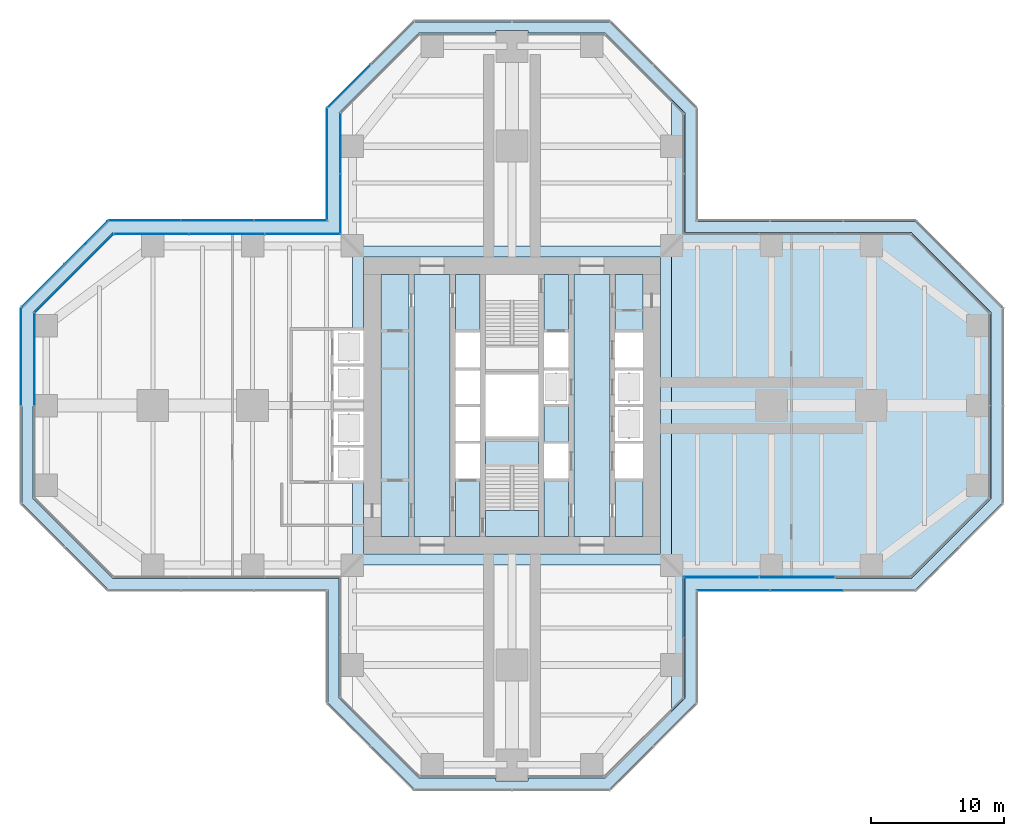
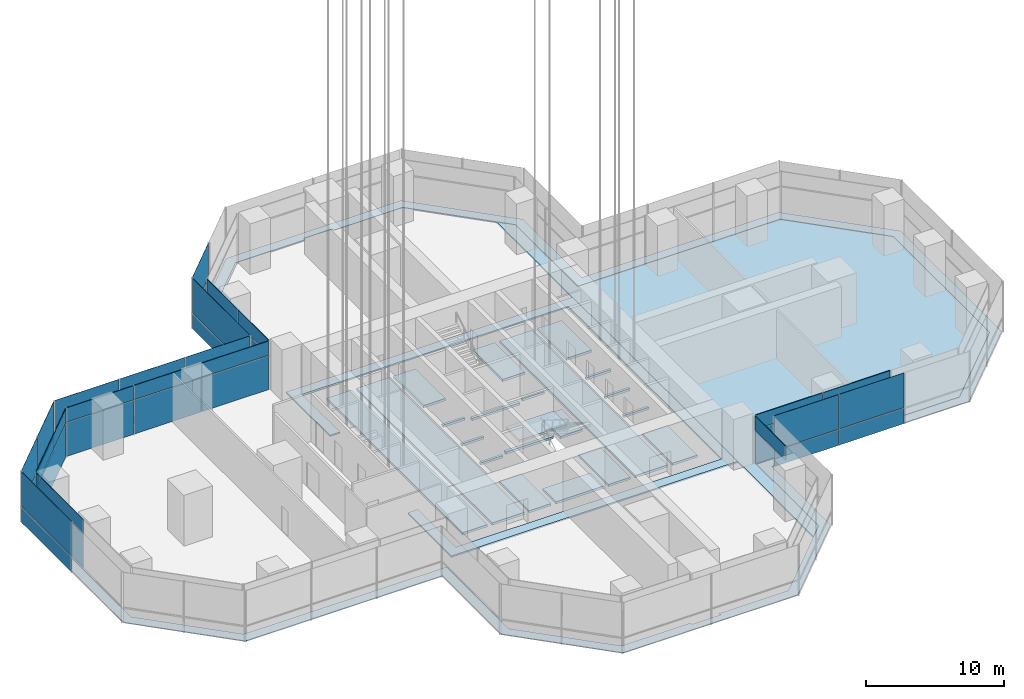
# One storey, part 12 of 34: 40 plates, 5 slabs, 13 elements without a shape of their own.
"""IFC4 building model written with IfcOpenShell, lengths in metres."""

from ifc_helpers import new_model, si_unit, direction, frame, origin, origin_2d, place, context, subcontext, project, spatial, polyline, rectangle, outline, extrude, material, layer, layer_set, type_object, element, aggregate, save


model = new_model("IFC4")

# Units and contexts
model_context = context("Model", 3, precision=1e-05, world=origin(), true_north=direction((0.0, 1.0)))
body_context = subcontext(model_context, "Body", "Model", "MODEL_VIEW")
ifc_project = project(units=[si_unit("LENGTHUNIT", "METRE"), si_unit("AREAUNIT", "SQUARE_METRE"), si_unit("VOLUMEUNIT", "CUBIC_METRE"), si_unit("PLANEANGLEUNIT", "RADIAN"), si_unit("MASSUNIT", "GRAM", prefix="KILO")], contexts=[model_context])

# Site, building, storey
site_placement = place(None, origin())
site = spatial("IfcSite", under=ifc_project, at=site_placement, CompositionType="ELEMENT")
building_placement = place(site_placement, origin())
building = spatial("IfcBuilding", under=site, at=building_placement, Name="Mizan Broadcast Tower", CompositionType="ELEMENT")
storey_placement = place(building_placement, frame((0.0, 0.0, 194.39990234375)))
storey = spatial("IfcBuildingStorey", under=building, at=storey_placement, Name="L45", CompositionType="ELEMENT", Elevation=194.39990234375)

# Plate
ifc_material_1 = material(Name="Aluminium grating", Category="aluminium")
ifc_layer_1 = layer(ifc_material_1, 0.050048828125)
ifc_layer_set_1 = layer_set([ifc_layer_1], Name="Aluminium grating")
plate_type_1 = type_object("IfcPlateType", Name="CAVITY GRATING", PredefinedType="USERDEFINED", material=ifc_layer_set_1)
plate_1_placement = place(storey_placement, frame((0.0, 0.0, -0.0498046875)))
element("IfcPlate", 1, at=plate_1_placement, inside=storey, type_object=plate_type_1, Name="Cavity grating L45", ObjectType="GRATING", PredefinedType="USERDEFINED", context=body_context, shape_type="SweptSolid", body=[
    extrude(outline(polyline([(7.339599609375, -28.820068359375), (13.820068359375, -22.339599609375), (13.820068359375, -13.820068359375), (30.339599609375, -13.820068359375), (36.820068359375, -7.339599609375), (36.820068359375, 7.339599609375), (30.339599609375, 13.820068359375), (13.820068359375, 13.820068359375), (13.820068359375, 22.339599609375), (7.339599609375, 28.820068359375), (-7.339599609375, 28.820068359375), (-13.820068359375, 22.339599609375), (-13.820068359375, 13.820068359375), (-30.339599609375, 13.820068359375), (-36.820068359375, 7.339599609375), (-36.820068359375, -7.339599609375), (-30.339599609375, -13.820068359375), (-13.820068359375, -13.820068359375), (-13.820068359375, -22.339599609375), (-7.339599609375, -28.820068359375), (7.339599609375, -28.820068359375)]), holes=[polyline([(36.0, -7.0), (30.0, -13.0), (13.0, -13.0), (13.0, -22.0), (7.0, -28.0), (1.199951171875, -28.0), (1.199951171875, -28.199951171875), (-1.199951171875, -28.199951171875), (-1.199951171875, -28.0), (-7.0, -28.0), (-13.0, -22.0), (-13.0, -13.0), (-30.0, -13.0), (-36.0, -7.0), (-36.0, 7.0), (-30.0, 13.0), (-13.0, 13.0), (-13.0, 22.0), (-7.0, 28.0), (-1.199951171875, 28.0), (-1.199951171875, 28.199951171875), (1.199951171875, 28.199951171875), (1.199951171875, 28.0), (7.0, 28.0), (13.0, 22.0), (13.0, 13.0), (30.0, 13.0), (36.0, 7.0), (36.0, -7.0)])]), origin(), (0.0, 0.0, 1.0), 0.0498046875),
])

# Slabs
ifc_material_2 = material(Name="Concrete C32/40", Category="concrete")
ifc_layer_2 = layer(ifc_material_2, 0.1298828125)
ifc_layer_set_2 = layer_set([ifc_layer_2], Name="Concrete C32/40")
slab_type_1 = type_object("IfcSlabType", Name="COMPOSITE DECK SLAB 130", PredefinedType="FLOOR", material=ifc_layer_set_2)
slab_1_placement = place(storey_placement, frame((0.0, 0.0, -0.1298828125)))
element("IfcSlab", 2, at=slab_1_placement, inside=storey, type_object=slab_type_1, Name="Floor slab L45 centre", PredefinedType="FLOOR", context=body_context, shape_type="SweptSolid", body=[
    extrude(outline(polyline([(-11.14990234375, -5.64990234375), (-12.0, -5.64990234375), (-12.0, -12.0), (12.0, -12.0), (12.0, 12.0), (-12.0, 12.0), (-12.0, 5.64990234375), (-11.14990234375, 5.64990234375), (-11.14990234375, 11.14990234375), (11.14990234375, 11.14990234375), (11.14990234375, -11.14990234375), (-11.14990234375, -11.14990234375), (-11.14990234375, -5.64990234375)])), origin(), (0.0, 0.0, 1.0), 0.1298828125),
])
slab_2_placement = place(storey_placement, frame((0.0, 0.0, -0.1298828125)))
element("IfcSlab", 3, at=slab_2_placement, inside=storey, type_object=slab_type_1, Name="Floor slab L45 east arm", PredefinedType="FLOOR", context=body_context, shape_type="SweptSolid", body=[
    extrude(outline(polyline([(13.0, 22.0), (12.0, 23.0), (12.0, -23.0), (13.0, -22.0), (13.0, -13.0), (30.0, -13.0), (36.0, -7.0), (36.0, 7.0), (30.0, 13.0), (13.0, 13.0), (13.0, 22.0)])), origin(), (0.0, 0.0, 1.0), 0.1298828125),
])
ifc_material_3 = material(Name="Concrete C40/50", Category="concrete")
ifc_layer_3 = layer(ifc_material_3, 0.199951171875)
ifc_layer_set_3 = layer_set([ifc_layer_3], Name="Concrete C40/50")
slab_type_2 = type_object("IfcSlabType", Name="CORE FLOOR 200", PredefinedType="FLOOR", material=ifc_layer_set_3)
slab_3_placement = place(storey_placement, frame((0.0, 0.0, -0.199951171875)))
element("IfcSlab", 4, at=slab_3_placement, inside=storey, type_object=slab_type_2, Name="Core floor L45", PredefinedType="FLOOR", context=body_context, shape_type="SweptSolid", body=[
    extrude(outline(polyline([(-9.85009765625, -9.85009765625), (-7.75, -9.85009765625), (-7.75, 9.85009765625), (-9.85009765625, 9.85009765625), (-9.85009765625, -9.85009765625)])), origin(), (0.0, 0.0, 1.0), 0.199951171875),
    extrude(outline(polyline([(-4.64990234375, 9.85009765625), (-7.35009765625, 9.85009765625), (-7.35009765625, -9.85009765625), (-4.64990234375, -9.85009765625), (-4.64990234375, 9.85009765625)])), origin(), (0.0, 0.0, 1.0), 0.199951171875),
    extrude(outline(polyline([(-4.25, -5.5), (-4.25, -9.85009765625), (-2.39990234375, -9.85009765625), (-2.39990234375, -5.5), (-4.25, -5.5)])), origin(), (0.0, 0.0, 1.0), 0.199951171875),
    extrude(outline(polyline([(-4.25, -2.85009765625), (-2.39990234375, -2.85009765625), (-2.39990234375, -2.64990234375), (-4.25, -2.64990234375), (-4.25, -2.85009765625)])), origin(), (0.0, 0.0, 1.0), 0.199951171875),
    extrude(outline(polyline([(-4.25, -0.10009765625), (-2.39990234375, -0.10009765625), (-2.39990234375, 0.10009765625), (-4.25, 0.10009765625), (-4.25, -0.10009765625)])), origin(), (0.0, 0.0, 1.0), 0.199951171875),
    extrude(outline(polyline([(-4.25, 2.64990234375), (-2.39990234375, 2.64990234375), (-2.39990234375, 2.85009765625), (-4.25, 2.85009765625), (-4.25, 2.64990234375)])), origin(), (0.0, 0.0, 1.0), 0.199951171875),
    extrude(outline(polyline([(-4.25, 5.5), (-2.39990234375, 5.5), (-2.39990234375, 9.85009765625), (-4.25, 9.85009765625), (-4.25, 5.5)])), origin(), (0.0, 0.0, 1.0), 0.199951171875),
    extrude(outline(polyline([(2.0, -2.324951171875), (-2.0, -2.324951171875), (-2.0, -2.574951171875), (2.0, -2.574951171875), (2.0, -2.324951171875)])), origin(), (0.0, 0.0, 1.0), 0.199951171875),
    extrude(outline(polyline([(2.0, 2.574951171875), (-2.0, 2.574951171875), (-2.0, 2.324951171875), (2.0, 2.324951171875), (2.0, 2.574951171875)])), origin(), (0.0, 0.0, 1.0), 0.199951171875),
    extrude(outline(polyline([(4.25, -9.85009765625), (4.25, -5.5), (2.39990234375, -5.5), (2.39990234375, -9.85009765625), (4.25, -9.85009765625)])), origin(), (0.0, 0.0, 1.0), 0.199951171875),
    extrude(outline(polyline([(4.25, -2.85009765625), (4.25, 0.10009765625), (2.39990234375, 0.10009765625), (2.39990234375, -2.85009765625), (4.25, -2.85009765625)])), origin(), (0.0, 0.0, 1.0), 0.199951171875),
    extrude(outline(polyline([(4.25, 2.64990234375), (4.25, 2.85009765625), (2.39990234375, 2.85009765625), (2.39990234375, 2.64990234375), (4.25, 2.64990234375)])), origin(), (0.0, 0.0, 1.0), 0.199951171875),
    extrude(outline(polyline([(4.25, 5.5), (4.25, 9.85009765625), (2.39990234375, 9.85009765625), (2.39990234375, 5.5), (4.25, 5.5)])), origin(), (0.0, 0.0, 1.0), 0.199951171875),
    extrude(outline(polyline([(4.64990234375, 9.85009765625), (4.64990234375, -9.85009765625), (7.35009765625, -9.85009765625), (7.35009765625, 9.85009765625), (4.64990234375, 9.85009765625)])), origin(), (0.0, 0.0, 1.0), 0.199951171875),
    extrude(outline(polyline([(9.85009765625, -9.85009765625), (9.85009765625, -5.5), (7.75, -5.5), (7.75, -9.85009765625), (9.85009765625, -9.85009765625)])), origin(), (0.0, 0.0, 1.0), 0.199951171875),
    extrude(outline(polyline([(9.85009765625, -2.85009765625), (9.85009765625, -2.64990234375), (7.75, -2.64990234375), (7.75, -2.85009765625), (9.85009765625, -2.85009765625)])), origin(), (0.0, 0.0, 1.0), 0.199951171875),
    extrude(outline(polyline([(9.85009765625, -0.10009765625), (9.85009765625, 0.10009765625), (7.75, 0.10009765625), (7.75, -0.10009765625), (9.85009765625, -0.10009765625)])), origin(), (0.0, 0.0, 1.0), 0.199951171875),
    extrude(outline(polyline([(9.85009765625, 2.64990234375), (9.85009765625, 2.85009765625), (7.75, 2.85009765625), (7.75, 2.64990234375), (9.85009765625, 2.64990234375)])), origin(), (0.0, 0.0, 1.0), 0.199951171875),
    extrude(outline(polyline([(9.85009765625, 5.5), (9.85009765625, 9.85009765625), (7.75, 9.85009765625), (7.75, 5.5), (9.85009765625, 5.5)])), origin(), (0.0, 0.0, 1.0), 0.199951171875),
])

# Curtain wall, plates
ifc_material_4 = material(Name="Aluminium framed glazing", Category="aluminium")
curtain_wall_type_1 = type_object("IfcCurtainWallType", Name="INNER SKIN HIGH ZONE", PredefinedType="USERDEFINED", material=ifc_material_4)
curtain_wall_1_placement = place(storey_placement, origin())
curtain_wall_1 = element("IfcCurtainWall", 5, at=curtain_wall_1_placement, inside=storey, type_object=curtain_wall_type_1, Name="Inner skin high zone L45 E side", ObjectType="INNER SKIN HIGH ZONE", PredefinedType="USERDEFINED")
ifc_material_5 = material(Name="Double glazing, clear low-e", Category="glass")
ifc_layer_4 = layer(ifc_material_5, 0.028076171875)
ifc_layer_set_4 = layer_set([ifc_layer_4], Name="Double glazing, clear low-e")
plate_type_2 = type_object("IfcPlateType", Name="INNER SKIN GLAZING UNIT", PredefinedType="CURTAIN_PANEL", material=ifc_layer_set_4)
plate_2_placement = place(storey_placement, frame((15.758056640625, -12.89990234375, 0.0), z_axis=(0.0, 0.0, 1.0), x_axis=(1.0, 0.0, 0.0)))
plate_2 = element("IfcPlate", 6, at=plate_2_placement, type_object=plate_type_2, Name="Inner skin high zone L45 E side panel 1.1", PredefinedType="CURTAIN_PANEL", context=body_context, shape_type="SweptSolid", body=[
    extrude(rectangle(XDim=5.59619140625, YDim=0.028076171875, at=origin_2d()), origin(), (0.0, 0.0, 1.0), 3.0),
])
plate_3_placement = place(storey_placement, frame((21.42919921875, -12.89990234375, 0.0), z_axis=(0.0, 0.0, 1.0), x_axis=(1.0, 0.0, 0.0)))
plate_3 = element("IfcPlate", 7, at=plate_3_placement, type_object=plate_type_2, Name="Inner skin high zone L45 E side panel 2.1", PredefinedType="CURTAIN_PANEL", context=body_context, shape_type="SweptSolid", body=[
    extrude(rectangle(XDim=5.626220703125, YDim=0.028076171875, at=origin_2d()), origin(), (0.0, 0.0, 1.0), 3.0),
])

curtain_wall_2_placement = place(storey_placement, origin())
curtain_wall_2 = element("IfcCurtainWall", 8, at=curtain_wall_2_placement, inside=storey, type_object=curtain_wall_type_1, Name="Inner skin high zone L45 N side", ObjectType="INNER SKIN HIGH ZONE", PredefinedType="USERDEFINED")
plate_4_placement = place(storey_placement, frame((-12.89990234375, 19.678955078125, 0.0), z_axis=(0.0, 0.0, 1.0), x_axis=(0.0, -1.0, 0.0)))
plate_4 = element("IfcPlate", 9, at=plate_4_placement, type_object=plate_type_2, Name="Inner skin high zone L45 N side panel 1.1", PredefinedType="CURTAIN_PANEL", context=body_context, shape_type="SweptSolid", body=[
    extrude(rectangle(XDim=4.439208984375, YDim=0.028076171875, at=origin_2d()), origin(), (0.0, 0.0, 1.0), 3.0),
])
plate_5_placement = place(storey_placement, frame((-12.89990234375, 15.1796875, 0.0), z_axis=(0.0, 0.0, 1.0), x_axis=(0.0, -1.0, 0.0)))
plate_5 = element("IfcPlate", 10, at=plate_5_placement, type_object=plate_type_2, Name="Inner skin high zone L45 N side panel 2.1", PredefinedType="CURTAIN_PANEL", context=body_context, shape_type="SweptSolid", body=[
    extrude(rectangle(XDim=4.439208984375, YDim=0.028076171875, at=origin_2d()), origin(), (0.0, 0.0, 1.0), 3.0),
])

curtain_wall_3_placement = place(storey_placement, origin())
curtain_wall_3 = element("IfcCurtainWall", 11, at=curtain_wall_3_placement, inside=storey, type_object=curtain_wall_type_1, Name="Inner skin high zone L45 W side", ObjectType="INNER SKIN HIGH ZONE", PredefinedType="USERDEFINED")
plate_6_placement = place(storey_placement, frame((-15.758056640625, 12.89990234375, 0.0), z_axis=(0.0, 0.0, 1.0), x_axis=(-1.0, 0.0, 0.0)))
plate_6 = element("IfcPlate", 12, at=plate_6_placement, type_object=plate_type_2, Name="Inner skin high zone L45 W side panel 1.1", PredefinedType="CURTAIN_PANEL", context=body_context, shape_type="SweptSolid", body=[
    extrude(rectangle(XDim=5.59619140625, YDim=0.028076171875, at=origin_2d()), origin(), (0.0, 0.0, 1.0), 3.0),
])
plate_7_placement = place(storey_placement, frame((-21.42919921875, 12.89990234375, 0.0), z_axis=(0.0, 0.0, 1.0), x_axis=(-1.0, 0.0, 0.0)))
plate_7 = element("IfcPlate", 13, at=plate_7_placement, type_object=plate_type_2, Name="Inner skin high zone L45 W side panel 2.1", PredefinedType="CURTAIN_PANEL", context=body_context, shape_type="SweptSolid", body=[
    extrude(rectangle(XDim=5.626220703125, YDim=0.028076171875, at=origin_2d()), origin(), (0.0, 0.0, 1.0), 3.0),
])
plate_8_placement = place(storey_placement, frame((-27.1005859375, 12.89990234375, 0.0), z_axis=(0.0, 0.0, 1.0), x_axis=(-1.0, 0.0, 0.0)))
plate_8 = element("IfcPlate", 14, at=plate_8_placement, type_object=plate_type_2, Name="Inner skin high zone L45 W side panel 3.1", PredefinedType="CURTAIN_PANEL", context=body_context, shape_type="SweptSolid", body=[
    extrude(rectangle(XDim=5.59619140625, YDim=0.028076171875, at=origin_2d()), origin(), (0.0, 0.0, 1.0), 3.0),
])

# Curtain wall, plate
curtain_wall_4_placement = place(storey_placement, origin())
curtain_wall_4 = element("IfcCurtainWall", 15, at=curtain_wall_4_placement, inside=storey, type_object=curtain_wall_type_1, Name="Inner skin high zone L45 W chamfer", ObjectType="INNER SKIN HIGH ZONE", PredefinedType="USERDEFINED")
plate_9_placement = place(storey_placement, frame((-32.92919921875, 9.92919921875, 0.0), z_axis=(0.0, 0.0, 1.0), x_axis=(-0.707106781187, -0.707106781187, 0.0)))
plate_9 = element("IfcPlate", 16, at=plate_9_placement, type_object=plate_type_2, Name="Inner skin high zone L45 W chamfer panel 1.1", PredefinedType="CURTAIN_PANEL", context=body_context, shape_type="SweptSolid", body=[
    extrude(rectangle(XDim=8.282470703125, YDim=0.028076171875, at=origin_2d()), origin(), (0.0, 0.0, 1.0), 3.0),
])

curtain_wall_5_placement = place(storey_placement, origin())
curtain_wall_5 = element("IfcCurtainWall", 17, at=curtain_wall_5_placement, inside=storey, type_object=curtain_wall_type_1, Name="Inner skin high zone L45 W end", ObjectType="INNER SKIN HIGH ZONE", PredefinedType="USERDEFINED")
plate_10_placement = place(storey_placement, frame((-35.89990234375, 3.46435546875, 0.0), z_axis=(0.0, 0.0, 1.0), x_axis=(0.0, -1.0, 0.0)))
plate_10 = element("IfcPlate", 18, at=plate_10_placement, type_object=plate_type_2, Name="Inner skin high zone L45 W end panel 1.1", PredefinedType="CURTAIN_PANEL", context=body_context, shape_type="SweptSolid", body=[
    extrude(rectangle(XDim=6.86865234375, YDim=0.028076171875, at=origin_2d()), origin(), (0.0, 0.0, 1.0), 3.0),
])

# Plate
ifc_material_6 = material(Name="Insulated aluminium spandrel panel, pale anodised", Category="aluminium")
ifc_layer_5 = layer(ifc_material_6, 0.050048828125)
ifc_layer_set_5 = layer_set([ifc_layer_5], Name="Insulated aluminium spandrel panel, pale anodised")
plate_type_3 = type_object("IfcPlateType", Name="INNER SKIN SPANDREL PANEL", PredefinedType="CURTAIN_PANEL", material=ifc_layer_set_5)
plate_11_placement = place(storey_placement, frame((15.758056640625, -12.89990234375, 3.06005859375), z_axis=(0.0, 0.0, 1.0), x_axis=(1.0, 0.0, 0.0)))
plate_11 = element("IfcPlate", 19, at=plate_11_placement, type_object=plate_type_3, Name="Inner skin high zone L45 E side panel 1.2", PredefinedType="CURTAIN_PANEL", context=body_context, shape_type="SweptSolid", body=[
    extrude(rectangle(XDim=5.59619140625, YDim=0.050048828125, at=origin_2d()), origin(), (0.0, 0.0, 1.0), 1.260009765625),
])

plate_12_placement = place(storey_placement, frame((21.42919921875, -12.89990234375, 3.06005859375), z_axis=(0.0, 0.0, 1.0), x_axis=(1.0, 0.0, 0.0)))
plate_12 = element("IfcPlate", 20, at=plate_12_placement, type_object=plate_type_3, Name="Inner skin high zone L45 E side panel 2.2", PredefinedType="CURTAIN_PANEL", context=body_context, shape_type="SweptSolid", body=[
    extrude(rectangle(XDim=5.626220703125, YDim=0.050048828125, at=origin_2d()), origin(), (0.0, 0.0, 1.0), 1.260009765625),
])

aggregate(curtain_wall_1, [plate_2, plate_11, plate_3, plate_12])

plate_13_placement = place(storey_placement, frame((-12.89990234375, 19.678955078125, 3.06005859375), z_axis=(0.0, 0.0, 1.0), x_axis=(0.0, -1.0, 0.0)))
plate_13 = element("IfcPlate", 21, at=plate_13_placement, type_object=plate_type_3, Name="Inner skin high zone L45 N side panel 1.2", PredefinedType="CURTAIN_PANEL", context=body_context, shape_type="SweptSolid", body=[
    extrude(rectangle(XDim=4.439208984375, YDim=0.050048828125, at=origin_2d()), origin(), (0.0, 0.0, 1.0), 1.260009765625),
])

plate_14_placement = place(storey_placement, frame((-12.89990234375, 15.1796875, 3.06005859375), z_axis=(0.0, 0.0, 1.0), x_axis=(0.0, -1.0, 0.0)))
plate_14 = element("IfcPlate", 22, at=plate_14_placement, type_object=plate_type_3, Name="Inner skin high zone L45 N side panel 2.2", PredefinedType="CURTAIN_PANEL", context=body_context, shape_type="SweptSolid", body=[
    extrude(rectangle(XDim=4.439208984375, YDim=0.050048828125, at=origin_2d()), origin(), (0.0, 0.0, 1.0), 1.260009765625),
])

aggregate(curtain_wall_2, [plate_4, plate_13, plate_5, plate_14])

plate_15_placement = place(storey_placement, frame((-15.758056640625, 12.89990234375, 3.06005859375), z_axis=(0.0, 0.0, 1.0), x_axis=(-1.0, 0.0, 0.0)))
plate_15 = element("IfcPlate", 23, at=plate_15_placement, type_object=plate_type_3, Name="Inner skin high zone L45 W side panel 1.2", PredefinedType="CURTAIN_PANEL", context=body_context, shape_type="SweptSolid", body=[
    extrude(rectangle(XDim=5.59619140625, YDim=0.050048828125, at=origin_2d()), origin(), (0.0, 0.0, 1.0), 1.260009765625),
])

plate_16_placement = place(storey_placement, frame((-21.42919921875, 12.89990234375, 3.06005859375), z_axis=(0.0, 0.0, 1.0), x_axis=(-1.0, 0.0, 0.0)))
plate_16 = element("IfcPlate", 24, at=plate_16_placement, type_object=plate_type_3, Name="Inner skin high zone L45 W side panel 2.2", PredefinedType="CURTAIN_PANEL", context=body_context, shape_type="SweptSolid", body=[
    extrude(rectangle(XDim=5.626220703125, YDim=0.050048828125, at=origin_2d()), origin(), (0.0, 0.0, 1.0), 1.260009765625),
])

plate_17_placement = place(storey_placement, frame((-27.1005859375, 12.89990234375, 3.06005859375), z_axis=(0.0, 0.0, 1.0), x_axis=(-1.0, 0.0, 0.0)))
plate_17 = element("IfcPlate", 25, at=plate_17_placement, type_object=plate_type_3, Name="Inner skin high zone L45 W side panel 3.2", PredefinedType="CURTAIN_PANEL", context=body_context, shape_type="SweptSolid", body=[
    extrude(rectangle(XDim=5.59619140625, YDim=0.050048828125, at=origin_2d()), origin(), (0.0, 0.0, 1.0), 1.260009765625),
])

aggregate(curtain_wall_3, [plate_6, plate_15, plate_7, plate_16, plate_8, plate_17])

plate_18_placement = place(storey_placement, frame((-32.92919921875, 9.92919921875, 3.06005859375), z_axis=(0.0, 0.0, 1.0), x_axis=(-0.707106781187, -0.707106781187, 0.0)))
plate_18 = element("IfcPlate", 26, at=plate_18_placement, type_object=plate_type_3, Name="Inner skin high zone L45 W chamfer panel 1.2", PredefinedType="CURTAIN_PANEL", context=body_context, shape_type="SweptSolid", body=[
    extrude(rectangle(XDim=8.282470703125, YDim=0.050048828125, at=origin_2d()), origin(), (0.0, 0.0, 1.0), 1.260009765625),
])

aggregate(curtain_wall_4, [plate_9, plate_18])

plate_19_placement = place(storey_placement, frame((-35.89990234375, 3.46435546875, 3.06005859375), z_axis=(0.0, 0.0, 1.0), x_axis=(0.0, -1.0, 0.0)))
plate_19 = element("IfcPlate", 27, at=plate_19_placement, type_object=plate_type_3, Name="Inner skin high zone L45 W end panel 1.2", PredefinedType="CURTAIN_PANEL", context=body_context, shape_type="SweptSolid", body=[
    extrude(rectangle(XDim=6.86865234375, YDim=0.050048828125, at=origin_2d()), origin(), (0.0, 0.0, 1.0), 1.260009765625),
])

aggregate(curtain_wall_5, [plate_10, plate_19])

# Curtain wall, plate
curtain_wall_6_placement = place(storey_placement, origin())
curtain_wall_6 = element("IfcCurtainWall", 28, at=curtain_wall_6_placement, inside=storey, type_object=curtain_wall_type_1, Name="Inner skin high zone L45 S side", ObjectType="INNER SKIN HIGH ZONE", PredefinedType="USERDEFINED")
plate_20_placement = place(storey_placement, frame((12.89990234375, -15.1796875, 3.06005859375), z_axis=(0.0, 0.0, 1.0), x_axis=(0.0, 1.0, 0.0)))
plate_20 = element("IfcPlate", 29, at=plate_20_placement, type_object=plate_type_3, Name="Inner skin high zone L45 S side panel 2.2", PredefinedType="CURTAIN_PANEL", context=body_context, shape_type="SweptSolid", body=[
    extrude(rectangle(XDim=4.439208984375, YDim=0.050048828125, at=origin_2d()), origin(), (0.0, 0.0, 1.0), 1.260009765625),
])
aggregate(curtain_wall_6, [plate_20])

# Curtain wall, plates
ifc_material_7 = material(Name="Aluminium framed glazing", Category="aluminium")
curtain_wall_type_2 = type_object("IfcCurtainWallType", Name="OUTER SKIN", PredefinedType="USERDEFINED", material=ifc_material_7)
curtain_wall_7_placement = place(storey_placement, origin())
curtain_wall_7 = element("IfcCurtainWall", 30, at=curtain_wall_7_placement, inside=storey, type_object=curtain_wall_type_2, Name="Outer skin L45 E side", ObjectType="OUTER SKIN", PredefinedType="USERDEFINED")
ifc_material_8 = material(Name="Laminated clear glass", Category="glass")
ifc_layer_6 = layer(ifc_material_8, 0.02001953125)
ifc_layer_set_6 = layer_set([ifc_layer_6], Name="Laminated clear glass")
plate_type_4 = type_object("IfcPlateType", Name="OUTER SKIN CLEAR GLASS", PredefinedType="CURTAIN_PANEL", material=ifc_layer_set_6)
plate_21_placement = place(storey_placement, frame((16.66552734375, -13.89990234375, 0.0), z_axis=(0.0, 0.0, 1.0), x_axis=(1.0, 0.0, 0.0)))
plate_21 = element("IfcPlate", 31, at=plate_21_placement, type_object=plate_type_4, Name="Outer skin L45 E side panel 1.1", PredefinedType="CURTAIN_PANEL", context=body_context, shape_type="SweptSolid", body=[
    extrude(rectangle(XDim=5.370849609375, YDim=0.02001953125, at=origin_2d()), origin(), (0.0, 0.0, 1.0), 1.3701171875),
])
plate_22_placement = place(storey_placement, frame((16.66552734375, -13.89990234375, 1.43017578125), z_axis=(0.0, 0.0, 1.0), x_axis=(1.0, 0.0, 0.0)))
plate_22 = element("IfcPlate", 32, at=plate_22_placement, type_object=plate_type_4, Name="Outer skin L45 E side panel 1.2", PredefinedType="CURTAIN_PANEL", context=body_context, shape_type="SweptSolid", body=[
    extrude(rectangle(XDim=5.370849609375, YDim=0.02001953125, at=origin_2d()), origin(), (0.0, 0.0, 1.0), 3.070068359375),
])

curtain_wall_8_placement = place(storey_placement, origin())
curtain_wall_8 = element("IfcCurtainWall", 33, at=curtain_wall_8_placement, inside=storey, type_object=curtain_wall_type_2, Name="Outer skin L45 N side", ObjectType="OUTER SKIN", PredefinedType="USERDEFINED")
plate_23_placement = place(storey_placement, frame((-13.89990234375, 18.136474609375, 0.0), z_axis=(0.0, 0.0, 1.0), x_axis=(0.0, -1.0, 0.0)))
plate_23 = element("IfcPlate", 34, at=plate_23_placement, type_object=plate_type_4, Name="Outer skin L45 N side panel 1.1", PredefinedType="CURTAIN_PANEL", context=body_context, shape_type="SweptSolid", body=[
    extrude(rectangle(XDim=8.312744140625, YDim=0.02001953125, at=origin_2d()), origin(), (0.0, 0.0, 1.0), 1.3701171875),
])
plate_24_placement = place(storey_placement, frame((-13.89990234375, 18.136474609375, 1.43017578125), z_axis=(0.0, 0.0, 1.0), x_axis=(0.0, -1.0, 0.0)))
plate_24 = element("IfcPlate", 35, at=plate_24_placement, type_object=plate_type_4, Name="Outer skin L45 N side panel 1.2", PredefinedType="CURTAIN_PANEL", context=body_context, shape_type="SweptSolid", body=[
    extrude(rectangle(XDim=8.312744140625, YDim=0.02001953125, at=origin_2d()), origin(), (0.0, 0.0, 1.0), 3.070068359375),
])
aggregate(curtain_wall_8, [plate_23, plate_24])

curtain_wall_9_placement = place(storey_placement, origin())
curtain_wall_9 = element("IfcCurtainWall", 36, at=curtain_wall_9_placement, inside=storey, type_object=curtain_wall_type_2, Name="Outer skin L45 W side", ObjectType="OUTER SKIN", PredefinedType="USERDEFINED")
plate_25_placement = place(storey_placement, frame((-16.66552734375, 13.89990234375, 0.0), z_axis=(0.0, 0.0, 1.0), x_axis=(-1.0, 0.0, 0.0)))
plate_25 = element("IfcPlate", 37, at=plate_25_placement, type_object=plate_type_4, Name="Outer skin L45 W side panel 1.1", PredefinedType="CURTAIN_PANEL", context=body_context, shape_type="SweptSolid", body=[
    extrude(rectangle(XDim=5.370849609375, YDim=0.02001953125, at=origin_2d()), origin(), (0.0, 0.0, 1.0), 1.3701171875),
])
plate_26_placement = place(storey_placement, frame((-16.66552734375, 13.89990234375, 1.43017578125), z_axis=(0.0, 0.0, 1.0), x_axis=(-1.0, 0.0, 0.0)))
plate_26 = element("IfcPlate", 38, at=plate_26_placement, type_object=plate_type_4, Name="Outer skin L45 W side panel 1.2", PredefinedType="CURTAIN_PANEL", context=body_context, shape_type="SweptSolid", body=[
    extrude(rectangle(XDim=5.370849609375, YDim=0.02001953125, at=origin_2d()), origin(), (0.0, 0.0, 1.0), 3.070068359375),
])
plate_27_placement = place(storey_placement, frame((-22.136474609375, 13.89990234375, 0.0), z_axis=(0.0, 0.0, 1.0), x_axis=(-1.0, 0.0, 0.0)))
plate_27 = element("IfcPlate", 39, at=plate_27_placement, type_object=plate_type_4, Name="Outer skin L45 W side panel 2.1", PredefinedType="CURTAIN_PANEL", context=body_context, shape_type="SweptSolid", body=[
    extrude(rectangle(XDim=5.410888671875, YDim=0.02001953125, at=origin_2d()), origin(), (0.0, 0.0, 1.0), 1.3701171875),
])
plate_28_placement = place(storey_placement, frame((-22.136474609375, 13.89990234375, 1.43017578125), z_axis=(0.0, 0.0, 1.0), x_axis=(-1.0, 0.0, 0.0)))
plate_28 = element("IfcPlate", 40, at=plate_28_placement, type_object=plate_type_4, Name="Outer skin L45 W side panel 2.2", PredefinedType="CURTAIN_PANEL", context=body_context, shape_type="SweptSolid", body=[
    extrude(rectangle(XDim=5.410888671875, YDim=0.02001953125, at=origin_2d()), origin(), (0.0, 0.0, 1.0), 3.070068359375),
])
plate_29_placement = place(storey_placement, frame((-27.607421875, 13.89990234375, 0.0), z_axis=(0.0, 0.0, 1.0), x_axis=(-1.0, 0.0, 0.0)))
plate_29 = element("IfcPlate", 41, at=plate_29_placement, type_object=plate_type_4, Name="Outer skin L45 W side panel 3.1", PredefinedType="CURTAIN_PANEL", context=body_context, shape_type="SweptSolid", body=[
    extrude(rectangle(XDim=5.370849609375, YDim=0.02001953125, at=origin_2d()), origin(), (0.0, 0.0, 1.0), 1.3701171875),
])
plate_30_placement = place(storey_placement, frame((-27.607421875, 13.89990234375, 1.43017578125), z_axis=(0.0, 0.0, 1.0), x_axis=(-1.0, 0.0, 0.0)))
plate_30 = element("IfcPlate", 42, at=plate_30_placement, type_object=plate_type_4, Name="Outer skin L45 W side panel 3.2", PredefinedType="CURTAIN_PANEL", context=body_context, shape_type="SweptSolid", body=[
    extrude(rectangle(XDim=5.370849609375, YDim=0.02001953125, at=origin_2d()), origin(), (0.0, 0.0, 1.0), 3.070068359375),
])
aggregate(curtain_wall_9, [plate_25, plate_26, plate_27, plate_28, plate_29, plate_30])

curtain_wall_10_placement = place(storey_placement, origin())
curtain_wall_10 = element("IfcCurtainWall", 43, at=curtain_wall_10_placement, inside=storey, type_object=curtain_wall_type_2, Name="Outer skin L45 W chamfer", ObjectType="OUTER SKIN", PredefinedType="USERDEFINED")
plate_31_placement = place(storey_placement, frame((-32.018798828125, 12.254150390625, 0.0), z_axis=(0.0, 0.0, 1.0), x_axis=(-0.707106781187, -0.707106781187, 0.0)))
plate_31 = element("IfcPlate", 44, at=plate_31_placement, type_object=plate_type_4, Name="Outer skin L45 W chamfer panel 1.1", PredefinedType="CURTAIN_PANEL", context=body_context, shape_type="SweptSolid", body=[
    extrude(rectangle(XDim=4.495361328125, YDim=0.02001953125, at=origin_2d()), origin(), (0.0, 0.0, 1.0), 1.3701171875),
])
plate_32_placement = place(storey_placement, frame((-32.018798828125, 12.254150390625, 1.43017578125), z_axis=(0.0, 0.0, 1.0), x_axis=(-0.707106781187, -0.707106781187, 0.0)))
plate_32 = element("IfcPlate", 45, at=plate_32_placement, type_object=plate_type_4, Name="Outer skin L45 W chamfer panel 1.2", PredefinedType="CURTAIN_PANEL", context=body_context, shape_type="SweptSolid", body=[
    extrude(rectangle(XDim=4.495361328125, YDim=0.02001953125, at=origin_2d()), origin(), (0.0, 0.0, 1.0), 3.070068359375),
])

curtain_wall_11_placement = place(storey_placement, origin())
curtain_wall_11 = element("IfcCurtainWall", 46, at=curtain_wall_11_placement, inside=storey, type_object=curtain_wall_type_2, Name="Outer skin L45 W end", ObjectType="OUTER SKIN", PredefinedType="USERDEFINED")
plate_33_placement = place(storey_placement, frame((-36.89990234375, 3.66650390625, 0.0), z_axis=(0.0, 0.0, 1.0), x_axis=(0.0, -1.0, 0.0)))
plate_33 = element("IfcPlate", 47, at=plate_33_placement, type_object=plate_type_4, Name="Outer skin L45 W end panel 1.1", PredefinedType="CURTAIN_PANEL", context=body_context, shape_type="SweptSolid", body=[
    extrude(rectangle(XDim=7.252685546875, YDim=0.02001953125, at=origin_2d()), origin(), (0.0, 0.0, 1.0), 1.3701171875),
])
plate_34_placement = place(storey_placement, frame((-36.89990234375, 3.66650390625, 1.43017578125), z_axis=(0.0, 0.0, 1.0), x_axis=(0.0, -1.0, 0.0)))
plate_34 = element("IfcPlate", 48, at=plate_34_placement, type_object=plate_type_4, Name="Outer skin L45 W end panel 1.2", PredefinedType="CURTAIN_PANEL", context=body_context, shape_type="SweptSolid", body=[
    extrude(rectangle(XDim=7.252685546875, YDim=0.02001953125, at=origin_2d()), origin(), (0.0, 0.0, 1.0), 3.070068359375),
])
aggregate(curtain_wall_11, [plate_33, plate_34])

# Plate
ifc_material_9 = material(Name="Perforated aluminium, pale anodised", Category="aluminium")
ifc_layer_7 = layer(ifc_material_9, 0.011962890625)
ifc_layer_set_7 = layer_set([ifc_layer_7], Name="Perforated aluminium, pale anodised")
plate_type_5 = type_object("IfcPlateType", Name="OUTER SKIN PERFORATED SCREEN", PredefinedType="USERDEFINED", material=ifc_layer_set_7)
plate_35_placement = place(storey_placement, frame((22.136474609375, -13.89990234375, 0.0), z_axis=(0.0, 0.0, 1.0), x_axis=(1.0, 0.0, 0.0)))
plate_35 = element("IfcPlate", 49, at=plate_35_placement, type_object=plate_type_5, Name="Outer skin L45 E side panel 2.1", ObjectType="SCREEN", PredefinedType="USERDEFINED", context=body_context, shape_type="SweptSolid", body=[
    extrude(rectangle(XDim=5.410888671875, YDim=0.011962890625, at=origin_2d()), origin(), (0.0, 0.0, 1.0), 1.3701171875),
])

plate_36_placement = place(storey_placement, frame((22.136474609375, -13.89990234375, 1.43017578125), z_axis=(0.0, 0.0, 1.0), x_axis=(1.0, 0.0, 0.0)))
plate_36 = element("IfcPlate", 50, at=plate_36_placement, type_object=plate_type_5, Name="Outer skin L45 E side panel 2.2", ObjectType="SCREEN", PredefinedType="USERDEFINED", context=body_context, shape_type="SweptSolid", body=[
    extrude(rectangle(XDim=5.410888671875, YDim=0.011962890625, at=origin_2d()), origin(), (0.0, 0.0, 1.0), 3.070068359375),
])

aggregate(curtain_wall_7, [plate_21, plate_22, plate_35, plate_36])

# Curtain wall, plates
curtain_wall_12_placement = place(storey_placement, origin())
curtain_wall_12 = element("IfcCurtainWall", 51, at=curtain_wall_12_placement, inside=storey, type_object=curtain_wall_type_2, Name="Outer skin L45 N chamfer", ObjectType="OUTER SKIN", PredefinedType="USERDEFINED")
plate_37_placement = place(storey_placement, frame((-12.254150390625, 24.018798828125, 0.0), z_axis=(0.0, 0.0, 1.0), x_axis=(-0.707106781187, -0.707106781187, 0.0)))
plate_37 = element("IfcPlate", 52, at=plate_37_placement, type_object=plate_type_5, Name="Outer skin L45 N chamfer panel 2.1", ObjectType="SCREEN", PredefinedType="USERDEFINED", context=body_context, shape_type="SweptSolid", body=[
    extrude(rectangle(XDim=4.495361328125, YDim=0.011962890625, at=origin_2d()), origin(), (0.0, 0.0, 1.0), 1.3701171875),
])
plate_38_placement = place(storey_placement, frame((-12.254150390625, 24.018798828125, 1.43017578125), z_axis=(0.0, 0.0, 1.0), x_axis=(-0.707106781187, -0.707106781187, 0.0)))
plate_38 = element("IfcPlate", 53, at=plate_38_placement, type_object=plate_type_5, Name="Outer skin L45 N chamfer panel 2.2", ObjectType="SCREEN", PredefinedType="USERDEFINED", context=body_context, shape_type="SweptSolid", body=[
    extrude(rectangle(XDim=4.495361328125, YDim=0.011962890625, at=origin_2d()), origin(), (0.0, 0.0, 1.0), 3.070068359375),
])
aggregate(curtain_wall_12, [plate_37, plate_38])

# Plate
plate_39_placement = place(storey_placement, frame((-35.254150390625, 9.018798828125, 0.0), z_axis=(0.0, 0.0, 1.0), x_axis=(-0.707106781187, -0.707106781187, 0.0)))
plate_39 = element("IfcPlate", 54, at=plate_39_placement, type_object=plate_type_5, Name="Outer skin L45 W chamfer panel 2.1", ObjectType="SCREEN", PredefinedType="USERDEFINED", context=body_context, shape_type="SweptSolid", body=[
    extrude(rectangle(XDim=4.495361328125, YDim=0.011962890625, at=origin_2d()), origin(), (0.0, 0.0, 1.0), 1.3701171875),
])

plate_40_placement = place(storey_placement, frame((-35.254150390625, 9.018798828125, 1.43017578125), z_axis=(0.0, 0.0, 1.0), x_axis=(-0.707106781187, -0.707106781187, 0.0)))
plate_40 = element("IfcPlate", 55, at=plate_40_placement, type_object=plate_type_5, Name="Outer skin L45 W chamfer panel 2.2", ObjectType="SCREEN", PredefinedType="USERDEFINED", context=body_context, shape_type="SweptSolid", body=[
    extrude(rectangle(XDim=4.495361328125, YDim=0.011962890625, at=origin_2d()), origin(), (0.0, 0.0, 1.0), 3.070068359375),
])

aggregate(curtain_wall_10, [plate_31, plate_32, plate_39, plate_40])

# Stair, slabs
ifc_material_10 = material(Name="Concrete C40/50", Category="concrete")
stair_type = type_object("IfcStairType", Name="EXIT STAIR", PredefinedType="HALF_TURN_STAIR", material=ifc_material_10)
stair_placement = place(storey_placement, origin())
stair = element("IfcStair", 56, at=stair_placement, inside=storey, type_object=stair_type, Name="Stair A L45", PredefinedType="HALF_TURN_STAIR")
ifc_material_11 = material(Name="Concrete C40/50", Category="concrete")
ifc_layer_8 = layer(ifc_material_11, 0.199951171875)
ifc_layer_set_8 = layer_set([ifc_layer_8], Name="Concrete C40/50")
slab_type_3 = type_object("IfcSlabType", Name="STAIR LANDING 200", PredefinedType="LANDING", material=ifc_layer_set_8)
slab_4_placement = place(storey_placement, frame((0.0, 0.0, -0.199951171875)))
slab_4 = element("IfcSlab", 57, at=slab_4_placement, type_object=slab_type_3, Name="A landing 1", PredefinedType="LANDING", context=body_context, shape_type="SweptSolid", body=[
    extrude(outline(polyline([(-2.0, -9.85009765625), (-2.0, -7.89990234375), (2.0, -7.89990234375), (2.0, -9.85009765625), (-2.0, -9.85009765625)])), origin(), (0.0, 0.0, 1.0), 0.199951171875),
])
slab_5_placement = place(storey_placement, frame((0.0, 0.0, 2.050048828125)))
slab_5 = element("IfcSlab", 58, at=slab_5_placement, type_object=slab_type_3, Name="A landing 2", PredefinedType="LANDING", context=body_context, shape_type="SweptSolid", body=[
    extrude(outline(polyline([(-2.0, -4.5400390625), (-2.0, -2.574951171875), (2.0, -2.574951171875), (2.0, -4.5400390625), (-2.0, -4.5400390625)])), origin(), (0.0, 0.0, 1.0), 0.199951171875),
])
aggregate(stair, [slab_4, slab_5])

save(model, "model.ifc")
